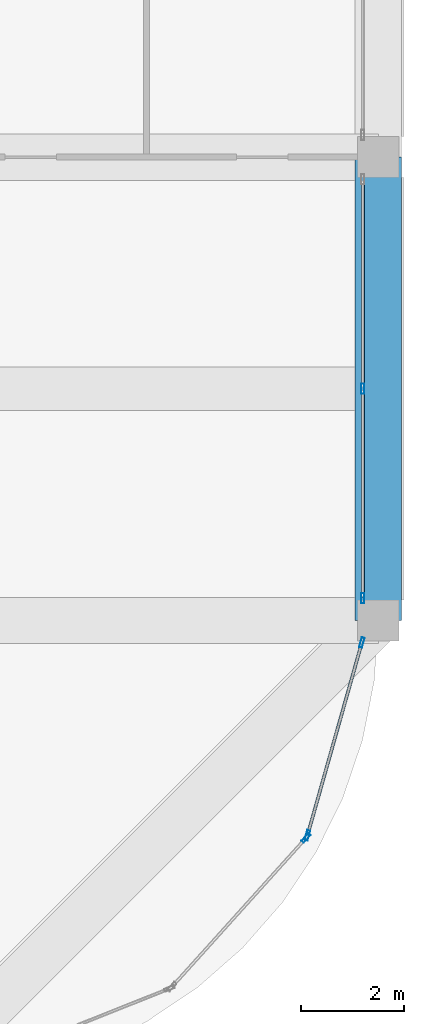
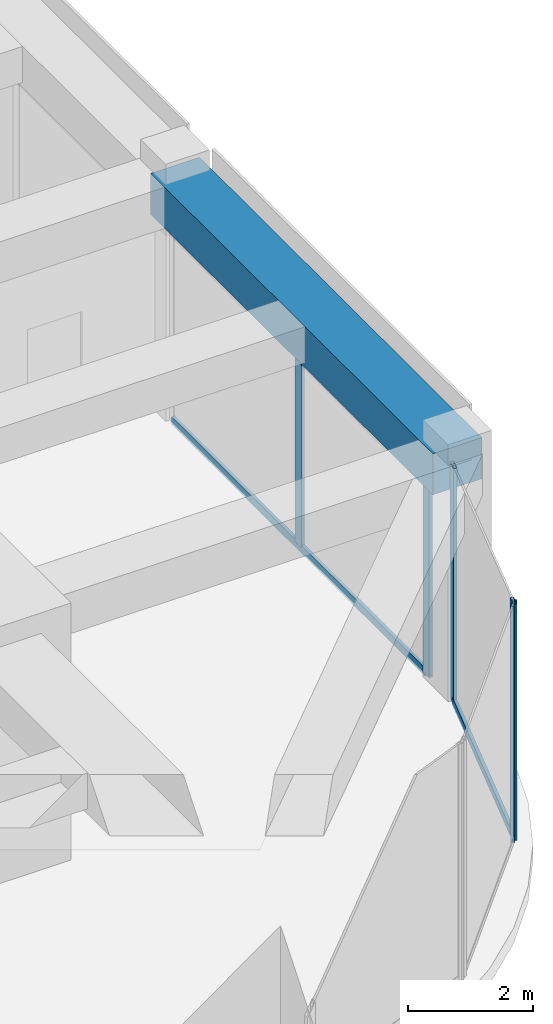
# One storey, part 32 of 46: 7 members, 1 beam, 3 elements without a shape of their own.
"""IFC4 building model written with IfcOpenShell, lengths in metres."""

import ifcopenshell
import ifcopenshell.guid

model = None  # the IFC model being written
_history = None  # IfcOwnerHistory: only IFC2X3 demands one
_inside = {}  # id of a spatial element -> (the spatial element, [elements in it])
_under = {}  # id of a project, library or spatial element -> (it, [spatial elements below it])
_declared = {}  # id of a project -> (the project, [libraries it declares])
_typed = {}  # id of a type object -> (the type object, [elements of that type])
_made_of = {}  # id of a material, layer set ... -> (it, [elements and type objects made of it])


def new_model(schema):
    """Start an empty IFC model of exactly this schema.

    Asked for "IFC4X3", IfcOpenShell would pick the latest addendum, in which some entities
    have other attributes; the version numbers below select the first issue.
    IFC2X3 requires an IfcOwnerHistory on every rooted entity: one is made here for all.
    """
    global model, _history
    if schema == "IFC4X3":
        model = ifcopenshell.file(schema_version=(4, 3, 0, 0))
    else:
        model = ifcopenshell.file(schema=schema)
    _inside.clear()
    _under.clear()
    _declared.clear()
    _typed.clear()
    _made_of.clear()
    _history = None
    if model.schema == "IFC2X3":
        org = make("IfcOrganization", Name="unknown")
        user = make(
            "IfcPersonAndOrganization",
            ThePerson=make("IfcPerson", FamilyName="unknown"),
            TheOrganization=org,
        )
        app = make(
            "IfcApplication",
            ApplicationDeveloper=org,
            Version="unknown",
            ApplicationFullName="unknown",
            ApplicationIdentifier="unknown",
        )
        _history = make(
            "IfcOwnerHistory",
            OwningUser=user,
            OwningApplication=app,
            ChangeAction="ADDED",
            CreationDate=0,
        )
    return model


def make(cls, **values):
    """One entity of the class cls with the attributes given. An attribute that is None is left unset."""
    return model.create_entity(
        cls, **{name: value for name, value in values.items() if value is not None}
    )


def rooted(cls, **values):
    """An entity with a GlobalId (a new one), such as an element, a storey or a relation."""
    return make(cls, GlobalId=ifcopenshell.guid.new(), OwnerHistory=_history, **values)


def si_unit(unit_type, name, prefix=None):
    """IfcSIUnit, for example si_unit("LENGTHUNIT", "METRE", prefix="MILLI")."""
    return make("IfcSIUnit", UnitType=unit_type, Prefix=prefix, Name=name)


def assignment(units):
    """IfcUnitAssignment: the units of a project."""
    return None if units is None else make("IfcUnitAssignment", Units=units)


def point(xyz):
    """IfcCartesianPoint."""
    return None if xyz is None else make("IfcCartesianPoint", Coordinates=xyz)


def direction(xyz):
    """IfcDirection."""
    return None if xyz is None else make("IfcDirection", DirectionRatios=xyz)


def frame(location, z_axis=None, x_axis=None):
    """IfcAxis2Placement3D, a coordinate frame: its origin and axes. An axis left out is left unset."""
    return make(
        "IfcAxis2Placement3D",
        Location=point(location),
        Axis=direction(z_axis),
        RefDirection=direction(x_axis),
    )


def frame_2d(location, x_axis=None):
    """IfcAxis2Placement2D, a coordinate frame in the plane: its origin and x axis."""
    return make(
        "IfcAxis2Placement2D", Location=point(location), RefDirection=direction(x_axis)
    )


def origin():
    """The frame at (0, 0, 0) with its axes left unset."""
    return frame((0.0, 0.0, 0.0))


def origin_2d():
    """The frame at (0, 0) in the plane with its x axis left unset."""
    return frame_2d((0.0, 0.0))


def place(relative_to, where):
    """IfcLocalPlacement: puts the frame where relative to a parent placement (None: the world)."""
    return make(
        "IfcLocalPlacement", PlacementRelTo=relative_to, RelativePlacement=where
    )


def context(
    kind, dimensions, precision=None, world=None, true_north=None, identifier=None
):
    """IfcGeometricRepresentationContext, for example the 3D "Model" context."""
    return make(
        "IfcGeometricRepresentationContext",
        ContextIdentifier=identifier,
        ContextType=kind,
        CoordinateSpaceDimension=dimensions,
        Precision=precision,
        WorldCoordinateSystem=world,
        TrueNorth=true_north,
    )


def subcontext(parent, identifier, kind, view, scale=None):
    """IfcGeometricRepresentationSubContext, for example "Body" below "Model"."""
    return make(
        "IfcGeometricRepresentationSubContext",
        ContextIdentifier=identifier,
        ContextType=kind,
        ParentContext=parent,
        TargetScale=scale,
        TargetView=view,
    )


def project(units=None, contexts=None):
    """IfcProject with its units and contexts."""
    return rooted(
        "IfcProject",
        Name="project",
        RepresentationContexts=contexts,
        UnitsInContext=assignment(units),
    )


def spatial(cls, under=None, at=None, **own):
    """A site, building, storey or space (cls), placed at a placement, below another one or the project."""
    s = rooted(cls, ObjectPlacement=at, **own)
    if under is not None:
        _under.setdefault(under.id(), (under, []))[1].append(s)
    return s


def profile(cls, at=None, kind="AREA", **sizes):
    """A parametric profile (cls). Its sizes go by their IFC names, for example OverallWidth=200.0."""
    return make(cls, ProfileType=kind, Position=at, **sizes)


def rectangle(**sizes):
    """IfcRectangleProfileDef."""
    return profile("IfcRectangleProfileDef", **sizes)


def hollow_rectangle(**sizes):
    """IfcRectangleHollowProfileDef."""
    return profile("IfcRectangleHollowProfileDef", **sizes)


def extrude(swept, where, along, depth):
    """IfcExtrudedAreaSolid: the profile swept, set in the frame where, extruded along a direction by depth."""
    return make(
        "IfcExtrudedAreaSolid",
        SweptArea=swept,
        Position=where,
        ExtrudedDirection=direction(along),
        Depth=depth,
    )


def shape(context_of_items, identifier, shape_type, items):
    """IfcShapeRepresentation: the items that make up one representation, for example the "Body"."""
    return make(
        "IfcShapeRepresentation",
        ContextOfItems=context_of_items,
        RepresentationIdentifier=identifier,
        RepresentationType=shape_type,
        Items=items,
    )


def material(Name=None, Category=None):
    """IfcMaterial."""
    return make("IfcMaterial", Name=Name, Category=Category)


def material_profile(
    of_material, cross_section, Name=None, Category=None, Priority=None
):
    """IfcMaterialProfile: a cross section and its material."""
    return make(
        "IfcMaterialProfile",
        Name=Name,
        Material=of_material,
        Profile=cross_section,
        Priority=Priority,
        Category=Category,
    )


def profile_set(profiles, Name=None, composite=None):
    """IfcMaterialProfileSet."""
    return make(
        "IfcMaterialProfileSet",
        Name=Name,
        MaterialProfiles=profiles,
        CompositeProfile=composite,
    )


def made_of(thing, what):
    """Note that an element or type object is made of a material, layer set ...; save() writes the relation."""
    if what is not None:
        _made_of.setdefault(what.id(), (what, []))[1].append(thing)
    return thing


def type_object(cls, material=None, **own):
    """A type object (cls), such as IfcWallType, which elements share."""
    return made_of(rooted(cls, **own), material)


def element(
    cls,
    number,
    at=None,
    inside=None,
    cuts=None,
    type_object=None,
    material=None,
    context=None,
    identifier="Body",
    shape_type=None,
    held_by="IfcProductDefinitionShape",
    body=None,
    shapes=None,
    **own,
):
    """One element of the class cls, such as IfcWall. Its Tag is "e" and its number.

    at: its placement. inside: the storey or other place that contains it. cuts: it is an
    opening in that element (IfcRelVoidsElement). A single representation is given by context,
    identifier, shape_type and body (its items); several are given by shapes. held_by: the class
    of the entity that holds the representations. save() writes the other relations.
    """
    e = rooted(cls, Tag="e%d" % number, ObjectPlacement=at, **own)
    if body is not None:
        shapes = [shape(context, identifier, shape_type, body)]
    if shapes is not None:
        e.Representation = make(held_by, Representations=shapes)
    if inside is not None:
        _inside.setdefault(inside.id(), (inside, []))[1].append(e)
    if cuts is not None:
        rooted(
            "IfcRelVoidsElement", RelatingBuildingElement=cuts, RelatedOpeningElement=e
        )
    if type_object is not None:
        _typed.setdefault(type_object.id(), (type_object, []))[1].append(e)
    return made_of(e, material)


def aggregate(whole, parts):
    """IfcRelAggregates: a whole, such as a stair, and the parts it consists of."""
    return rooted("IfcRelAggregates", RelatingObject=whole, RelatedObjects=parts)


def save(model, path):
    """Write the relations noted so far, then the file.

    IfcRelAggregates (storeys below a building ...), IfcRelContainedInSpatialStructure (elements
    in a storey), IfcRelDefinesByType, IfcRelAssociatesMaterial and IfcRelDeclares: one each for
    every whole, place, type object, material and project.
    """
    for whole, parts in _under.values():
        aggregate(whole, parts)
    for where, things in _inside.values():
        rooted(
            "IfcRelContainedInSpatialStructure",
            RelatedElements=things,
            RelatingStructure=where,
        )
    for kind, things in _typed.values():
        rooted("IfcRelDefinesByType", RelatedObjects=things, RelatingType=kind)
    for what, things in _made_of.values():
        rooted("IfcRelAssociatesMaterial", RelatedObjects=things, RelatingMaterial=what)
    for by, libraries in _declared.values():
        rooted("IfcRelDeclares", RelatingContext=by, RelatedDefinitions=libraries)
    model.write(path)


model = new_model("IFC4")

# Units and contexts
model_context = context("Model", 3, precision=1e-05, world=origin(), true_north=direction((0.0, 1.0)))
body_context = subcontext(model_context, "Body", "Model", "MODEL_VIEW")
ifc_project = project(units=[si_unit("LENGTHUNIT", "METRE"), si_unit("AREAUNIT", "SQUARE_METRE"), si_unit("VOLUMEUNIT", "CUBIC_METRE"), si_unit("PLANEANGLEUNIT", "RADIAN"), si_unit("MASSUNIT", "GRAM", prefix="KILO")], contexts=[model_context])

# Site, building, storey
site_placement = place(None, origin())
site = spatial("IfcSite", under=ifc_project, at=site_placement, CompositionType="ELEMENT")
building_placement = place(site_placement, origin())
building = spatial("IfcBuilding", under=site, at=building_placement, Name="Zorevar Civic Tower", CompositionType="ELEMENT")
storey_placement = place(building_placement, frame((0.0, 0.0, 10.800048828125)))
storey = spatial("IfcBuildingStorey", under=building, at=storey_placement, Name="L02", CompositionType="ELEMENT", Elevation=10.800048828125)

# Curtain wall, members
ifc_material_1 = material(Name="Dark grey solar-control glass in black aluminium frame", Category="aluminium")
curtain_wall_type = type_object("IfcCurtainWallType", Name="Curtain wall CW1 podium", PredefinedType="NOTDEFINED", material=ifc_material_1)
curtain_wall_1_placement = place(storey_placement, origin())
curtain_wall_1 = element("IfcCurtainWall", 1, at=curtain_wall_1_placement, inside=storey, type_object=curtain_wall_type, Name="CW1 L02", PredefinedType="NOTDEFINED")
ifc_material_2 = material(Name="Aluminium, black anodised", Category="aluminium")
ifc_material_profile_1 = material_profile(ifc_material_2, hollow_rectangle(XDim=0.06005859375, YDim=0.199951171875, WallThickness=0.00390625, at=origin_2d()), Name="AL 200x60x4")
ifc_profile_set_1 = profile_set([ifc_material_profile_1], Name="Aluminium, black anodised")
member_type_1 = type_object("IfcMemberType", Name="CW1 mullion AL 200x60x4", PredefinedType="MULLION", material=ifc_profile_set_1)
member_1_placement = place(storey_placement, frame((71.699951171875, 9.429931640625, 0.0), z_axis=(0.0, 0.0, 1.0), x_axis=(-1.0, 0.0, 0.0)))
member_1 = element("IfcMember", 2, at=member_1_placement, type_object=member_type_1, Name="CW1 mullion 1", PredefinedType="MULLION", context=body_context, shape_type="SweptSolid", body=[
    extrude(hollow_rectangle(XDim=0.06005859375, YDim=0.199951171875, WallThickness=0.00390625, at=origin_2d()), origin(), (0.0, 0.0, 1.0), 3.800048828125),
])
member_2_placement = place(storey_placement, frame((71.699951171875, 13.5, 0.06005859375), z_axis=(0.0, 0.0, 1.0), x_axis=(-1.0, 0.0, 0.0)))
member_2 = element("IfcMember", 3, at=member_2_placement, type_object=member_type_1, Name="CW1 mullion 2", PredefinedType="MULLION", context=body_context, shape_type="SweptSolid", body=[
    extrude(hollow_rectangle(XDim=0.06005859375, YDim=0.199951171875, WallThickness=0.00390625, at=origin_2d()), origin(), (0.0, 0.0, 1.0), 3.739990234375),
])

# Curtain wall, member
curtain_wall_2_placement = place(storey_placement, origin())
curtain_wall_2 = element("IfcCurtainWall", 4, at=curtain_wall_2_placement, inside=storey, type_object=curtain_wall_type, Name="CW1 L02", PredefinedType="NOTDEFINED")
member_3_placement = place(storey_placement, frame((70.596923828125, 4.774169921875, 0.0), z_axis=(0.0, 0.0, 1.0), x_axis=(-0.742899688263, 0.669402758568, 0.0)))
member_3 = element("IfcMember", 5, at=member_3_placement, type_object=member_type_1, Name="CW1 mullion 2", PredefinedType="MULLION", context=body_context, shape_type="SweptSolid", body=[
    extrude(hollow_rectangle(XDim=0.06005859375, YDim=0.199951171875, WallThickness=0.00390625, at=origin_2d()), origin(), (0.0, 0.0, 1.0), 4.599853515625),
])
aggregate(curtain_wall_2, [member_3])

# Curtain wall, members
curtain_wall_3_placement = place(storey_placement, origin())
curtain_wall_3 = element("IfcCurtainWall", 6, at=curtain_wall_3_placement, inside=storey, type_object=curtain_wall_type, Name="CW1 L02", PredefinedType="NOTDEFINED")
member_4_placement = place(storey_placement, frame((70.625244140625, 4.825439453125, 0.0), z_axis=(0.0, 0.0, 1.0), x_axis=(-0.962390725943, 0.271669082929, 0.0)))
member_4 = element("IfcMember", 7, at=member_4_placement, type_object=member_type_1, Name="CW1 mullion 1", PredefinedType="MULLION", context=body_context, shape_type="SweptSolid", body=[
    extrude(hollow_rectangle(XDim=0.06005859375, YDim=0.199951171875, WallThickness=0.00390625, at=origin_2d()), origin(), (0.0, 0.0, 1.0), 4.599853515625),
])
member_5_placement = place(storey_placement, frame((71.6826171875, 8.571044921875, 0.0), z_axis=(0.0, 0.0, 1.0), x_axis=(-0.962390725943, 0.271669082929, 0.0)))
member_5 = element("IfcMember", 8, at=member_5_placement, type_object=member_type_1, Name="CW1 mullion 2", PredefinedType="MULLION", context=body_context, shape_type="SweptSolid", body=[
    extrude(hollow_rectangle(XDim=0.06005859375, YDim=0.199951171875, WallThickness=0.00390625, at=origin_2d()), origin(), (0.0, 0.0, 1.0), 4.599853515625),
])

# Member
ifc_material_3 = material(Name="Aluminium, black anodised", Category="aluminium")
ifc_material_profile_2 = material_profile(ifc_material_3, hollow_rectangle(XDim=0.06005859375, YDim=0.14990234375, WallThickness=0.00390625, at=origin_2d()), Name="AL 150x60x4")
ifc_profile_set_2 = profile_set([ifc_material_profile_2], Name="Aluminium, black anodised")
member_type_2 = type_object("IfcMemberType", Name="CW1 transom AL 150x60x4", PredefinedType="USERDEFINED", material=ifc_profile_set_2)
member_6_placement = place(storey_placement, frame((71.699951171875, 9.4599609375, 0.030029296875), z_axis=(0.0, 1.0, 0.0), x_axis=(-1.0, 0.0, 0.0)))
member_6 = element("IfcMember", 9, at=member_6_placement, type_object=member_type_2, Name="CW1 sill transom", ObjectType="TRANSOM", PredefinedType="USERDEFINED", context=body_context, shape_type="SweptSolid", body=[
    extrude(hollow_rectangle(XDim=0.06005859375, YDim=0.14990234375, WallThickness=0.00390625, at=origin_2d()), origin(), (0.0, 0.0, 1.0), 8.080078125),
])

aggregate(curtain_wall_1, [member_1, member_2, member_6])

member_7_placement = place(storey_placement, frame((70.63330078125, 4.854248046875, 0.030029296875), z_axis=(0.271656874729, 0.962394172059, 0.0), x_axis=(-0.962394172059, 0.271656874729, 0.0)))
member_7 = element("IfcMember", 10, at=member_7_placement, type_object=member_type_2, Name="CW1 sill transom", ObjectType="TRANSOM", PredefinedType="USERDEFINED", context=body_context, shape_type="SweptSolid", body=[
    extrude(hollow_rectangle(XDim=0.06005859375, YDim=0.14990234375, WallThickness=0.00390625, at=origin_2d()), origin(), (0.0, 0.0, 1.0), 3.83203125),
])

aggregate(curtain_wall_3, [member_4, member_5, member_7])

# Beam
ifc_material_4 = material(Name="Concrete C50/60", Category="concrete")
ifc_material_profile_3 = material_profile(ifc_material_4, rectangle(XDim=0.89990234375, YDim=0.800048828125, at=origin_2d()), Name="RC 900x800")
ifc_profile_set_3 = profile_set([ifc_material_profile_3], Name="Concrete C50/60")
beam_type = type_object("IfcBeamType", Name="Edge beam RC 900x800", PredefinedType="SPANDREL", material=ifc_profile_set_3)
beam_placement = place(storey_placement, frame((72.0, 9.0, 4.199951171875), z_axis=(0.0, 1.0, 0.0), x_axis=(-1.0, 0.0, 0.0)))
element("IfcBeam", 11, at=beam_placement, inside=storey, type_object=beam_type, Name="Edge beam L03", PredefinedType="SPANDREL", context=body_context, shape_type="SweptSolid", body=[
    extrude(rectangle(XDim=0.89990234375, YDim=0.800048828125, at=origin_2d()), origin(), (0.0, 0.0, 1.0), 9.0),
])

save(model, "model.ifc")
